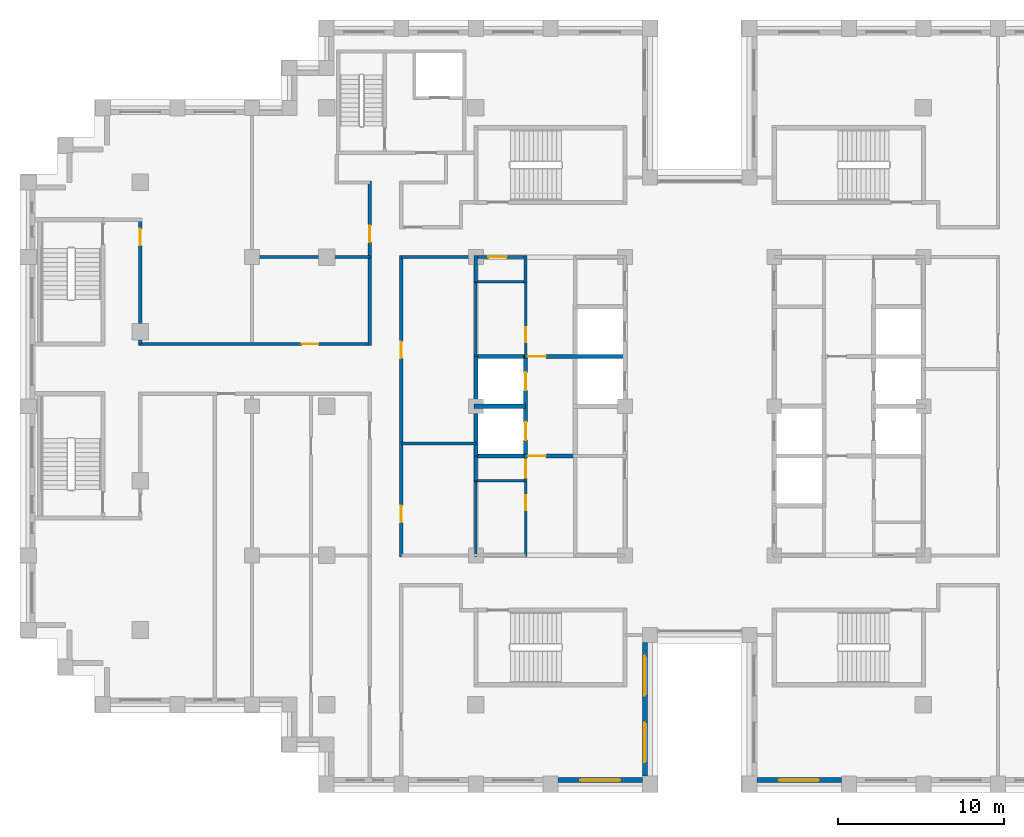
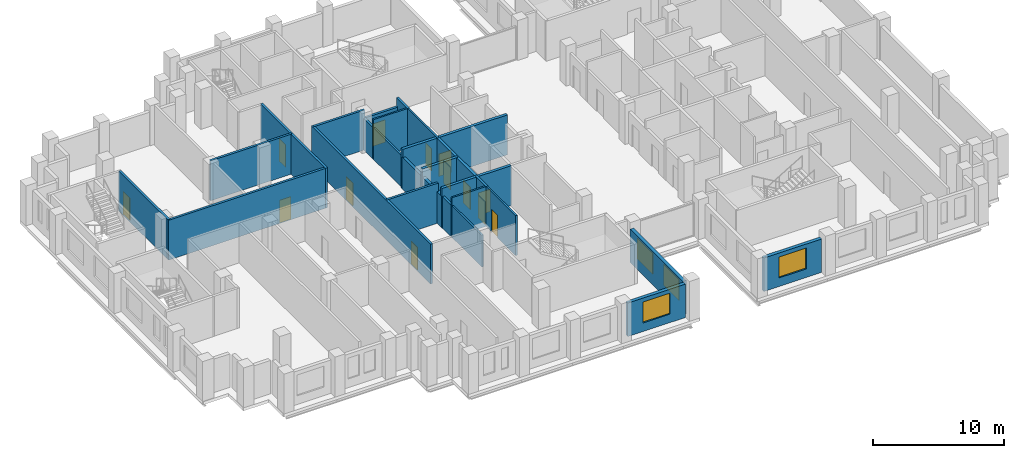
# One storey, part 7 of 15: 26 walls, 13 doors, 4 windows, 17 openings.
"""IFC4 building model written with IfcOpenShell, lengths in metres."""

from ifc_helpers import new_model, si_unit, direction, frame, frame_2d, origin, place, context, subcontext, project, spatial, rectangle, extrude, material, layer, layer_set, type_object, element, fill, save


model = new_model("IFC4")

# Units and contexts
model_context = context("Model", 3, precision=1e-05, world=origin(), true_north=direction((0.0, 1.0)))
body_context = subcontext(model_context, "Body", "Model", "MODEL_VIEW")
ifc_project = project(units=[si_unit("LENGTHUNIT", "METRE"), si_unit("AREAUNIT", "SQUARE_METRE"), si_unit("VOLUMEUNIT", "CUBIC_METRE"), si_unit("PLANEANGLEUNIT", "RADIAN"), si_unit("MASSUNIT", "GRAM", prefix="KILO")], contexts=[model_context])

# Site, building, storey
site_placement = place(None, origin())
site = spatial("IfcSite", under=ifc_project, at=site_placement, CompositionType="ELEMENT")
building_placement = place(site_placement, origin())
building = spatial("IfcBuilding", under=site, at=building_placement, Name="Corbelhall Arena Tower", CompositionType="ELEMENT")
storey_placement = place(building_placement, frame((0.0, 0.0, 220.0)))
storey = spatial("IfcBuildingStorey", under=building, at=storey_placement, Name="L46", CompositionType="ELEMENT", Elevation=220.0)

# Wall, opening, window
ifc_material_1 = material(Name="Precast concrete C40/50 with granite facing", Category="masonry")
ifc_layer_1 = layer(ifc_material_1, 0.300048828125)
ifc_layer_set_1 = layer_set([ifc_layer_1], Name="EV-IW1 Infill panel 300")
wall_type_1 = type_object("IfcWallType", Name="EV-IW1 Infill panel 300", PredefinedType="SOLIDWALL", material=ifc_layer_set_1)
wall_1_placement = place(storey_placement, frame((-8.550048828125, -22.550048828125, 0.0), z_axis=(0.0, 0.0, 1.0), x_axis=(1.0, 0.0, 0.0)))
wall_1 = element("IfcWall", 1, at=wall_1_placement, inside=storey, type_object=wall_type_1, Name="Infill panel IW1", PredefinedType="SOLIDWALL", context=body_context, shape_type="SweptSolid", body=[
    extrude(rectangle(XDim=5.10009765625, YDim=0.300048828125, at=frame_2d((2.550048828125, 0.0))), origin(), (0.0, 0.0, 1.0), 3.1201171875),
])
opening_1_placement = place(wall_1_placement, frame((1.35009765625, 0.0, 0.800048828125)))
opening_1 = element("IfcOpeningElement", 2, at=opening_1_placement, cuts=wall_1, Name="Opening WN1", PredefinedType="OPENING", context=body_context, shape_type="SweptSolid", body=[
    extrude(rectangle(XDim=2.39990234375, YDim=1.949951171875, at=frame_2d((1.199951171875, 0.97509765625))), frame((0.0, 0.14990234375, 0.0), z_axis=(0.0, -1.0, 0.0), x_axis=(1.0, 0.0, 0.0)), (0.0, 0.0, 1.0), 0.300048828125),
])
ifc_material_2 = material(Name="Aluminium black anodised", Category="aluminium")
window_type = type_object("IfcWindowType", Name="EV-WN1 Office window", PartitioningType="SINGLE_PANEL", PredefinedType="WINDOW", material=ifc_material_2)
window_1_placement = place(opening_1_placement, origin())
window_1 = element("IfcWindow", 3, at=window_1_placement, inside=storey, type_object=window_type, Name="Window WN1", OverallHeight=1.949951171875, OverallWidth=2.39990234375, PartitioningType="SINGLE_PANEL", PredefinedType="WINDOW", context=body_context, shape_type="SweptSolid", body=[
    extrude(rectangle(XDim=2.39990234375, YDim=1.949951171875, at=frame_2d((1.199951171875, 0.97509765625))), frame((0.0, 0.030029296875, 0.0), z_axis=(0.0, -1.0, 0.0), x_axis=(1.0, 0.0, 0.0)), (0.0, 0.0, 1.0), 0.06005859375),
])
fill(opening_1, window_1)

# Wall, openings, windows
wall_2_placement = place(storey_placement, frame((-3.300048828125, -22.300048828125, 0.0), z_axis=(0.0, 0.0, 1.0), x_axis=(0.0, 1.0, 0.0)))
wall_2 = element("IfcWall", 4, at=wall_2_placement, inside=storey, type_object=wall_type_1, Name="Infill panel IW1", PredefinedType="SOLIDWALL", context=body_context, shape_type="SweptSolid", body=[
    extrude(rectangle(XDim=8.050048828125, YDim=0.300048828125, at=frame_2d((4.02490234375, 0.0))), origin(), (0.0, 0.0, 1.0), 3.1201171875),
])
opening_2_placement = place(wall_2_placement, frame((0.8125, 0.0, 0.800048828125)))
opening_2 = element("IfcOpeningElement", 5, at=opening_2_placement, cuts=wall_2, Name="Opening WN1", PredefinedType="OPENING", context=body_context, shape_type="SweptSolid", body=[
    extrude(rectangle(XDim=2.39990234375, YDim=1.949951171875, at=frame_2d((1.199951171875, 0.97509765625))), frame((0.0, 0.14990234375, 0.0), z_axis=(0.0, -1.0, 0.0), x_axis=(1.0, 0.0, 0.0)), (0.0, 0.0, 1.0), 0.300048828125),
])
opening_3_placement = place(wall_2_placement, frame((4.83740234375, 0.0, 0.800048828125)))
opening_3 = element("IfcOpeningElement", 6, at=opening_3_placement, cuts=wall_2, Name="Opening WN1", PredefinedType="OPENING", context=body_context, shape_type="SweptSolid", body=[
    extrude(rectangle(XDim=2.39990234375, YDim=1.949951171875, at=frame_2d((1.199951171875, 0.97509765625))), frame((0.0, 0.14990234375, 0.0), z_axis=(0.0, -1.0, 0.0), x_axis=(1.0, 0.0, 0.0)), (0.0, 0.0, 1.0), 0.300048828125),
])
window_2_placement = place(opening_2_placement, origin())
window_2 = element("IfcWindow", 7, at=window_2_placement, inside=storey, type_object=window_type, Name="Window WN1", OverallHeight=1.949951171875, OverallWidth=2.39990234375, PartitioningType="SINGLE_PANEL", PredefinedType="WINDOW", context=body_context, shape_type="SweptSolid", body=[
    extrude(rectangle(XDim=2.39990234375, YDim=1.949951171875, at=frame_2d((1.199951171875, 0.97509765625))), frame((0.0, 0.030029296875, 0.0), z_axis=(0.0, -1.0, 0.0), x_axis=(1.0, 0.0, 0.0)), (0.0, 0.0, 1.0), 0.06005859375),
])
fill(opening_2, window_2)
window_3_placement = place(opening_3_placement, origin())
window_3 = element("IfcWindow", 8, at=window_3_placement, inside=storey, type_object=window_type, Name="Window WN1", OverallHeight=1.949951171875, OverallWidth=2.39990234375, PartitioningType="SINGLE_PANEL", PredefinedType="WINDOW", context=body_context, shape_type="SweptSolid", body=[
    extrude(rectangle(XDim=2.39990234375, YDim=1.949951171875, at=frame_2d((1.199951171875, 0.97509765625))), frame((0.0, 0.030029296875, 0.0), z_axis=(0.0, -1.0, 0.0), x_axis=(1.0, 0.0, 0.0)), (0.0, 0.0, 1.0), 0.06005859375),
])
fill(opening_3, window_3)

# Wall, opening, window
wall_3_placement = place(storey_placement, frame((3.449951171875, -22.550048828125, 0.0), z_axis=(0.0, 0.0, 1.0), x_axis=(1.0, 0.0, 0.0)))
wall_3 = element("IfcWall", 9, at=wall_3_placement, inside=storey, type_object=wall_type_1, Name="Infill panel IW1", PredefinedType="SOLIDWALL", context=body_context, shape_type="SweptSolid", body=[
    extrude(rectangle(XDim=5.10009765625, YDim=0.300048828125, at=frame_2d((2.550048828125, 0.0))), origin(), (0.0, 0.0, 1.0), 3.1201171875),
])
opening_4_placement = place(wall_3_placement, frame((1.35009765625, 0.0, 0.800048828125)))
opening_4 = element("IfcOpeningElement", 10, at=opening_4_placement, cuts=wall_3, Name="Opening WN1", PredefinedType="OPENING", context=body_context, shape_type="SweptSolid", body=[
    extrude(rectangle(XDim=2.39990234375, YDim=1.949951171875, at=frame_2d((1.199951171875, 0.97509765625))), frame((0.0, 0.14990234375, 0.0), z_axis=(0.0, -1.0, 0.0), x_axis=(1.0, 0.0, 0.0)), (0.0, 0.0, 1.0), 0.300048828125),
])
window_4_placement = place(opening_4_placement, origin())
window_4 = element("IfcWindow", 11, at=window_4_placement, inside=storey, type_object=window_type, Name="Window WN1", OverallHeight=1.949951171875, OverallWidth=2.39990234375, PartitioningType="SINGLE_PANEL", PredefinedType="WINDOW", context=body_context, shape_type="SweptSolid", body=[
    extrude(rectangle(XDim=2.39990234375, YDim=1.949951171875, at=frame_2d((1.199951171875, 0.97509765625))), frame((0.0, 0.030029296875, 0.0), z_axis=(0.0, -1.0, 0.0), x_axis=(1.0, 0.0, 0.0)), (0.0, 0.0, 1.0), 0.06005859375),
])
fill(opening_4, window_4)

# Wall, opening, door
ifc_material_3 = material(Name="Gypsum board on steel stud, acoustic", Category="steel")
ifc_layer_2 = layer(ifc_material_3, 0.199951171875)
ifc_layer_set_2 = layer_set([ifc_layer_2], Name="IN-W-DM200")
wall_type_2 = type_object("IfcWallType", Name="IN-W-DM200", PredefinedType="PARTITIONING", material=ifc_layer_set_2)
wall_4_placement = place(storey_placement, frame((-33.85009765625, 3.75, 0.0), z_axis=(0.0, 0.0, 1.0), x_axis=(1.0, 0.0, 0.0)))
wall_4 = element("IfcWall", 12, at=wall_4_placement, inside=storey, type_object=wall_type_2, Name="Partition 002", PredefinedType="PARTITIONING", context=body_context, shape_type="SweptSolid", body=[
    extrude(rectangle(XDim=13.9501953125, YDim=0.199951171875, at=frame_2d((6.97509765625, 0.0))), origin(), (0.0, 0.0, 1.0), 3.719970703125),
])
opening_5_placement = place(wall_4_placement, frame((9.85009765625, 0.0, 0.0)))
opening_5 = element("IfcOpeningElement", 13, at=opening_5_placement, cuts=wall_4, Name="Opening 14032", PredefinedType="OPENING", context=body_context, shape_type="SweptSolid", body=[
    extrude(rectangle(XDim=1.0, YDim=2.10009765625, at=frame_2d((0.5, 1.050048828125))), frame((0.0, 0.10009765625, 0.0), z_axis=(0.0, -1.0, 0.0), x_axis=(1.0, 0.0, 0.0)), (0.0, 0.0, 1.0), 0.199951171875),
])
ifc_material_4 = material(Name="Steel door set", Category="steel")
door_type_1 = type_object("IfcDoorType", Name="IN-D-SW100", OperationType="NOTDEFINED", PredefinedType="DOOR", material=ifc_material_4)
door_1_placement = place(opening_5_placement, origin())
door_1 = element("IfcDoor", 14, at=door_1_placement, inside=storey, type_object=door_type_1, Name="Door 032", OperationType="SINGLE_SWING_LEFT", OverallHeight=2.10009765625, OverallWidth=1.0, PredefinedType="DOOR", context=body_context, shape_type="SweptSolid", body=[
    extrude(rectangle(XDim=1.0, YDim=2.10009765625, at=frame_2d((0.5, 1.050048828125))), frame((0.0, 0.02490234375, 0.0), z_axis=(0.0, -1.0, 0.0), x_axis=(1.0, 0.0, 0.0)), (0.0, 0.0, 1.0), 0.050048828125),
])
fill(opening_5, door_1)

wall_5_placement = place(storey_placement, frame((-33.75, 11.25, 0.0), z_axis=(0.0, 0.0, 1.0), x_axis=(0.0, -1.0, 0.0)))
wall_5 = element("IfcWall", 15, at=wall_5_placement, inside=storey, type_object=wall_type_2, Name="Partition 005", PredefinedType="PARTITIONING", context=body_context, shape_type="SweptSolid", body=[
    extrude(rectangle(XDim=7.5, YDim=0.199951171875, at=frame_2d((3.75, 0.0))), origin(), (0.0, 0.0, 1.0), 3.719970703125),
])
opening_6_placement = place(wall_5_placement, frame((0.550048828125, 0.0, 0.0)))
opening_6 = element("IfcOpeningElement", 16, at=opening_6_placement, cuts=wall_5, Name="Opening 14042", PredefinedType="OPENING", context=body_context, shape_type="SweptSolid", body=[
    extrude(rectangle(XDim=1.0, YDim=2.10009765625, at=frame_2d((0.5, 1.050048828125))), frame((0.0, 0.10009765625, 0.0), z_axis=(0.0, -1.0, 0.0), x_axis=(1.0, 0.0, 0.0)), (0.0, 0.0, 1.0), 0.199951171875),
])
door_2_placement = place(opening_6_placement, origin())
door_2 = element("IfcDoor", 17, at=door_2_placement, inside=storey, type_object=door_type_1, Name="Door 042", OperationType="SINGLE_SWING_LEFT", OverallHeight=2.10009765625, OverallWidth=1.0, PredefinedType="DOOR", context=body_context, shape_type="SweptSolid", body=[
    extrude(rectangle(XDim=1.0, YDim=2.10009765625, at=frame_2d((0.5, 1.050048828125))), frame((0.0, 0.02490234375, 0.0), z_axis=(0.0, -1.0, 0.0), x_axis=(1.0, 0.0, 0.0)), (0.0, 0.0, 1.0), 0.050048828125),
])
fill(opening_6, door_2)

# Wall
wall_6_placement = place(storey_placement, frame((-27.10009765625, 9.0, 0.0), z_axis=(0.0, 0.0, 1.0), x_axis=(1.0, 0.0, 0.0)))
element("IfcWall", 18, at=wall_6_placement, inside=storey, type_object=wall_type_2, Name="Partition 009", PredefinedType="PARTITIONING", context=body_context, shape_type="SweptSolid", body=[
    extrude(rectangle(XDim=7.2001953125, YDim=0.199951171875, at=frame_2d((3.60009765625, 0.0))), origin(), (0.0, 0.0, 1.0), 3.719970703125),
])

# Wall, opening, door
wall_7_placement = place(storey_placement, frame((-19.89990234375, 3.64990234375, 0.0), z_axis=(0.0, 0.0, 1.0), x_axis=(0.0, 1.0, 0.0)))
wall_7 = element("IfcWall", 19, at=wall_7_placement, inside=storey, type_object=wall_type_2, Name="Partition 015", PredefinedType="PARTITIONING", context=body_context, shape_type="SweptSolid", body=[
    extrude(rectangle(XDim=9.9501953125, YDim=0.199951171875, at=frame_2d((4.97509765625, 0.0))), origin(), (0.0, 0.0, 1.0), 3.719970703125),
])
opening_7_placement = place(wall_7_placement, frame((6.25, 0.0, 0.0)))
opening_7 = element("IfcOpeningElement", 20, at=opening_7_placement, cuts=wall_7, Name="Opening 14033", PredefinedType="OPENING", context=body_context, shape_type="SweptSolid", body=[
    extrude(rectangle(XDim=1.0, YDim=2.10009765625, at=frame_2d((0.5, 1.050048828125))), frame((0.0, 0.10009765625, 0.0), z_axis=(0.0, -1.0, 0.0), x_axis=(1.0, 0.0, 0.0)), (0.0, 0.0, 1.0), 0.199951171875),
])
door_3_placement = place(opening_7_placement, origin())
door_3 = element("IfcDoor", 21, at=door_3_placement, inside=storey, type_object=door_type_1, Name="Door 033", OperationType="SINGLE_SWING_RIGHT", OverallHeight=2.10009765625, OverallWidth=1.0, PredefinedType="DOOR", context=body_context, shape_type="SweptSolid", body=[
    extrude(rectangle(XDim=1.0, YDim=2.10009765625, at=frame_2d((0.5, 1.050048828125))), frame((0.0, 0.02490234375, 0.0), z_axis=(0.0, -1.0, 0.0), x_axis=(1.0, 0.0, 0.0)), (0.0, 0.0, 1.0), 0.050048828125),
])
fill(opening_7, door_3)

# Wall
wall_8_placement = place(storey_placement, frame((-18.0, -2.25, 0.0), z_axis=(0.0, 0.0, 1.0), x_axis=(1.0, 0.0, 0.0)))
element("IfcWall", 22, at=wall_8_placement, inside=storey, type_object=wall_type_2, Name="Partition 019", PredefinedType="PARTITIONING", context=body_context, shape_type="SweptSolid", body=[
    extrude(rectangle(XDim=4.5, YDim=0.199951171875, at=frame_2d((2.25, 0.0))), origin(), (0.0, 0.0, 1.0), 3.719970703125),
])

# Wall, openings, doors
wall_9_placement = place(storey_placement, frame((-18.0, 9.10009765625, 0.0), z_axis=(0.0, 0.0, 1.0), x_axis=(0.0, -1.0, 0.0)))
wall_9 = element("IfcWall", 23, at=wall_9_placement, inside=storey, type_object=wall_type_2, Name="Partition 020", PredefinedType="PARTITIONING", context=body_context, shape_type="SweptSolid", body=[
    extrude(rectangle(XDim=18.2001953125, YDim=0.199951171875, at=frame_2d((9.10009765625, 0.0))), origin(), (0.0, 0.0, 1.0), 3.719970703125),
])
opening_8_placement = place(wall_9_placement, frame((15.10009765625, 0.0, 0.0)))
opening_8 = element("IfcOpeningElement", 24, at=opening_8_placement, cuts=wall_9, Name="Opening 14024", PredefinedType="OPENING", context=body_context, shape_type="SweptSolid", body=[
    extrude(rectangle(XDim=1.0, YDim=2.10009765625, at=frame_2d((0.5, 1.050048828125))), frame((0.0, 0.10009765625, 0.0), z_axis=(0.0, -1.0, 0.0), x_axis=(1.0, 0.0, 0.0)), (0.0, 0.0, 1.0), 0.199951171875),
])
opening_9_placement = place(wall_9_placement, frame((5.199951171875, 0.0, 0.0)))
opening_9 = element("IfcOpeningElement", 25, at=opening_9_placement, cuts=wall_9, Name="Opening 14025", PredefinedType="OPENING", context=body_context, shape_type="SweptSolid", body=[
    extrude(rectangle(XDim=1.0, YDim=2.10009765625, at=frame_2d((0.5, 1.050048828125))), frame((0.0, 0.10009765625, 0.0), z_axis=(0.0, -1.0, 0.0), x_axis=(1.0, 0.0, 0.0)), (0.0, 0.0, 1.0), 0.199951171875),
])
door_4_placement = place(opening_8_placement, origin())
door_4 = element("IfcDoor", 26, at=door_4_placement, inside=storey, type_object=door_type_1, Name="Door 024", OperationType="SINGLE_SWING_LEFT", OverallHeight=2.10009765625, OverallWidth=1.0, PredefinedType="DOOR", context=body_context, shape_type="SweptSolid", body=[
    extrude(rectangle(XDim=1.0, YDim=2.10009765625, at=frame_2d((0.5, 1.050048828125))), frame((0.0, 0.02490234375, 0.0), z_axis=(0.0, -1.0, 0.0), x_axis=(1.0, 0.0, 0.0)), (0.0, 0.0, 1.0), 0.050048828125),
])
fill(opening_8, door_4)
door_5_placement = place(opening_9_placement, origin())
door_5 = element("IfcDoor", 27, at=door_5_placement, inside=storey, type_object=door_type_1, Name="Door 025", OperationType="SINGLE_SWING_RIGHT", OverallHeight=2.10009765625, OverallWidth=1.0, PredefinedType="DOOR", context=body_context, shape_type="SweptSolid", body=[
    extrude(rectangle(XDim=1.0, YDim=2.10009765625, at=frame_2d((0.5, 1.050048828125))), frame((0.0, 0.02490234375, 0.0), z_axis=(0.0, -1.0, 0.0), x_axis=(1.0, 0.0, 0.0)), (0.0, 0.0, 1.0), 0.050048828125),
])
fill(opening_9, door_5)

# Wall
wall_10_placement = place(storey_placement, frame((-13.5, 9.0, 0.0), z_axis=(0.0, 0.0, 1.0), x_axis=(-1.0, 0.0, 0.0)))
element("IfcWall", 28, at=wall_10_placement, inside=storey, type_object=wall_type_2, Name="Partition 028", PredefinedType="PARTITIONING", context=body_context, shape_type="SweptSolid", body=[
    extrude(rectangle(XDim=4.5, YDim=0.199951171875, at=frame_2d((2.25, 0.0))), origin(), (0.0, 0.0, 1.0), 3.719970703125),
])

# Wall, opening, door
ifc_material_5 = material(Name="Concrete block wall", Category="concrete")
ifc_layer_3 = layer(ifc_material_5, 0.199951171875)
ifc_layer_set_3 = layer_set([ifc_layer_3], Name="IN-W-RS200")
wall_type_3 = type_object("IfcWallType", Name="IN-W-RS200", PredefinedType="SOLIDWALL", material=ifc_layer_set_3)
wall_11_placement = place(storey_placement, frame((-10.5, -4.574951171875, 0.0), z_axis=(0.0, 0.0, 1.0), x_axis=(0.0, 1.0, 0.0)))
wall_11 = element("IfcWall", 29, at=wall_11_placement, inside=storey, type_object=wall_type_3, Name="Partition 055", PredefinedType="SOLIDWALL", context=body_context, shape_type="SweptSolid", body=[
    extrude(rectangle(XDim=1.699951171875, YDim=0.199951171875, at=frame_2d((0.85009765625, 0.0))), origin(), (0.0, 0.0, 1.0), 3.719970703125),
])
opening_10_placement = place(wall_11_placement, frame((0.25, 0.0, 0.0)))
opening_10 = element("IfcOpeningElement", 30, at=opening_10_placement, cuts=wall_11, Name="Opening 14007", PredefinedType="OPENING", context=body_context, shape_type="SweptSolid", body=[
    extrude(rectangle(XDim=1.10009765625, YDim=2.10009765625, at=frame_2d((0.550048828125, 1.050048828125))), frame((0.0, 0.10009765625, 0.0), z_axis=(0.0, -1.0, 0.0), x_axis=(1.0, 0.0, 0.0)), (0.0, 0.0, 1.0), 0.199951171875),
])
door_type_2 = type_object("IfcDoorType", Name="IN-D-FD110", OperationType="NOTDEFINED", PredefinedType="DOOR", material=ifc_material_4)
door_6_placement = place(opening_10_placement, origin())
door_6 = element("IfcDoor", 31, at=door_6_placement, inside=storey, type_object=door_type_2, Name="Door 007", OperationType="SINGLE_SWING_RIGHT", OverallHeight=2.10009765625, OverallWidth=1.10009765625, PredefinedType="DOOR", context=body_context, shape_type="SweptSolid", body=[
    extrude(rectangle(XDim=1.10009765625, YDim=2.10009765625, at=frame_2d((0.550048828125, 1.050048828125))), frame((0.0, 0.02490234375, 0.0), z_axis=(0.0, -1.0, 0.0), x_axis=(1.0, 0.0, 0.0)), (0.0, 0.0, 1.0), 0.050048828125),
])
fill(opening_10, door_6)

# Wall
wall_12_placement = place(storey_placement, frame((-10.5, 7.425048828125, 0.0), z_axis=(0.0, 0.0, 1.0), x_axis=(0.0, 1.0, 0.0)))
element("IfcWall", 32, at=wall_12_placement, inside=storey, type_object=wall_type_3, Name="Partition 056", PredefinedType="SOLIDWALL", context=body_context, shape_type="SweptSolid", body=[
    extrude(rectangle(XDim=1.675048828125, YDim=0.199951171875, at=frame_2d((0.83740234375, 0.0))), origin(), (0.0, 0.0, 1.0), 3.719970703125),
])

# Wall, opening, door
ifc_layer_4 = layer(ifc_material_5, 0.199951171875)
ifc_layer_set_4 = layer_set([ifc_layer_4], Name="IN-W-RS200 under beam 762 mm")
wall_type_4 = type_object("IfcWallType", Name="IN-W-RS200 under beam 762 mm", PredefinedType="SOLIDWALL", material=ifc_layer_set_4)
wall_13_placement = place(storey_placement, frame((-13.60009765625, 9.0, 0.0), z_axis=(0.0, 0.0, 1.0), x_axis=(1.0, 0.0, 0.0)))
wall_13 = element("IfcWall", 33, at=wall_13_placement, inside=storey, type_object=wall_type_4, Name="Partition 052", PredefinedType="SOLIDWALL", context=body_context, shape_type="SweptSolid", body=[
    extrude(rectangle(XDim=3.10009765625, YDim=0.199951171875, at=frame_2d((1.550048828125, 0.0))), origin(), (0.0, 0.0, 1.0), 2.9580078125),
])
opening_11_placement = place(wall_13_placement, frame((0.85009765625, 0.0, 0.0)))
opening_11 = element("IfcOpeningElement", 34, at=opening_11_placement, cuts=wall_13, Name="Opening 14009", PredefinedType="OPENING", context=body_context, shape_type="SweptSolid", body=[
    extrude(rectangle(XDim=1.10009765625, YDim=2.10009765625, at=frame_2d((0.550048828125, 1.050048828125))), frame((0.0, 0.10009765625, 0.0), z_axis=(0.0, -1.0, 0.0), x_axis=(1.0, 0.0, 0.0)), (0.0, 0.0, 1.0), 0.199951171875),
])
door_7_placement = place(opening_11_placement, origin())
door_7 = element("IfcDoor", 35, at=door_7_placement, inside=storey, type_object=door_type_2, Name="Door 009", OperationType="SINGLE_SWING_RIGHT", OverallHeight=2.10009765625, OverallWidth=1.10009765625, PredefinedType="DOOR", context=body_context, shape_type="SweptSolid", body=[
    extrude(rectangle(XDim=1.10009765625, YDim=2.10009765625, at=frame_2d((0.550048828125, 1.050048828125))), frame((0.0, 0.02490234375, 0.0), z_axis=(0.0, -1.0, 0.0), x_axis=(1.0, 0.0, 0.0)), (0.0, 0.0, 1.0), 0.050048828125),
])
fill(opening_11, door_7)

# Walls
wall_14_placement = place(storey_placement, frame((-13.5, -4.5, 0.0), z_axis=(0.0, 0.0, 1.0), x_axis=(0.0, 1.0, 0.0)))
element("IfcWall", 36, at=wall_14_placement, inside=storey, type_object=wall_type_4, Name="Partition 053", PredefinedType="SOLIDWALL", context=body_context, shape_type="SweptSolid", body=[
    extrude(rectangle(XDim=1.5, YDim=0.199951171875, at=frame_2d((0.75, 0.0))), origin(), (0.0, 0.0, 1.0), 2.9580078125),
])
wall_15_placement = place(storey_placement, frame((-13.5, 7.5, 0.0), z_axis=(0.0, 0.0, 1.0), x_axis=(0.0, 1.0, 0.0)))
element("IfcWall", 37, at=wall_15_placement, inside=storey, type_object=wall_type_4, Name="Partition 054", PredefinedType="SOLIDWALL", context=body_context, shape_type="SweptSolid", body=[
    extrude(rectangle(XDim=1.60009765625, YDim=0.199951171875, at=frame_2d((0.800048828125, 0.0))), origin(), (0.0, 0.0, 1.0), 2.9580078125),
])
ifc_material_6 = material(Name="Concrete C40/50", Category="concrete")
ifc_layer_5 = layer(ifc_material_6, 0.25)
ifc_layer_set_5 = layer_set([ifc_layer_5], Name="IN-W-SH250")
wall_type_5 = type_object("IfcWallType", Name="IN-W-SH250", PredefinedType="SOLIDWALL", material=ifc_layer_set_5)
wall_16_placement = place(storey_placement, frame((-13.625, 0.0, 0.0), z_axis=(0.0, 0.0, 1.0), x_axis=(1.0, 0.0, 0.0)))
element("IfcWall", 38, at=wall_16_placement, inside=storey, type_object=wall_type_5, Name="Shaft wall 076", PredefinedType="SOLIDWALL", context=body_context, shape_type="SweptSolid", body=[
    extrude(rectangle(XDim=3.125, YDim=0.25, at=frame_2d((1.5625, 0.0))), origin(), (0.0, 0.0, 1.0), 3.719970703125),
])

# Wall, opening, door
wall_17_placement = place(storey_placement, frame((-13.625, 3.0, 0.0), z_axis=(0.0, 0.0, 1.0), x_axis=(1.0, 0.0, 0.0)))
wall_17 = element("IfcWall", 39, at=wall_17_placement, inside=storey, type_object=wall_type_5, Name="Shaft wall 077", PredefinedType="SOLIDWALL", context=body_context, shape_type="SweptSolid", body=[
    extrude(rectangle(XDim=9.25, YDim=0.25, at=frame_2d((4.625, 0.0))), origin(), (0.0, 0.0, 1.0), 3.719970703125),
])
opening_12_placement = place(wall_17_placement, frame((3.25, 0.0, 0.0)))
opening_12 = element("IfcOpeningElement", 40, at=opening_12_placement, cuts=wall_17, Name="Opening 14005", PredefinedType="OPENING", context=body_context, shape_type="SweptSolid", body=[
    extrude(rectangle(XDim=1.10009765625, YDim=2.10009765625, at=frame_2d((0.550048828125, 1.050048828125))), frame((0.0, 0.125, 0.0), z_axis=(0.0, -1.0, 0.0), x_axis=(1.0, 0.0, 0.0)), (0.0, 0.0, 1.0), 0.25),
])
door_8_placement = place(opening_12_placement, origin())
door_8 = element("IfcDoor", 41, at=door_8_placement, inside=storey, type_object=door_type_2, Name="Door 005", OperationType="SINGLE_SWING_RIGHT", OverallHeight=2.10009765625, OverallWidth=1.10009765625, PredefinedType="DOOR", context=body_context, shape_type="SweptSolid", body=[
    extrude(rectangle(XDim=1.10009765625, YDim=2.10009765625, at=frame_2d((0.550048828125, 1.050048828125))), frame((0.0, 0.02490234375, 0.0), z_axis=(0.0, -1.0, 0.0), x_axis=(1.0, 0.0, 0.0)), (0.0, 0.0, 1.0), 0.050048828125),
])
fill(opening_12, door_8)

wall_18_placement = place(storey_placement, frame((-13.625, -3.0, 0.0), z_axis=(0.0, 0.0, 1.0), x_axis=(1.0, 0.0, 0.0)))
wall_18 = element("IfcWall", 42, at=wall_18_placement, inside=storey, type_object=wall_type_5, Name="Shaft wall 079", PredefinedType="SOLIDWALL", context=body_context, shape_type="SweptSolid", body=[
    extrude(rectangle(XDim=6.125, YDim=0.25, at=frame_2d((3.0625, 0.0))), origin(), (0.0, 0.0, 1.0), 3.719970703125),
])
opening_13_placement = place(wall_18_placement, frame((3.25, 0.0, 0.0)))
opening_13 = element("IfcOpeningElement", 43, at=opening_13_placement, cuts=wall_18, Name="Opening 14004", PredefinedType="OPENING", context=body_context, shape_type="SweptSolid", body=[
    extrude(rectangle(XDim=1.10009765625, YDim=2.10009765625, at=frame_2d((0.550048828125, 1.050048828125))), frame((0.0, 0.125, 0.0), z_axis=(0.0, -1.0, 0.0), x_axis=(1.0, 0.0, 0.0)), (0.0, 0.0, 1.0), 0.25),
])
door_9_placement = place(opening_13_placement, origin())
door_9 = element("IfcDoor", 44, at=door_9_placement, inside=storey, type_object=door_type_2, Name="Door 004", OperationType="SINGLE_SWING_LEFT", OverallHeight=2.10009765625, OverallWidth=1.10009765625, PredefinedType="DOOR", context=body_context, shape_type="SweptSolid", body=[
    extrude(rectangle(XDim=1.10009765625, YDim=2.10009765625, at=frame_2d((0.550048828125, 1.050048828125))), frame((0.0, 0.02490234375, 0.0), z_axis=(0.0, -1.0, 0.0), x_axis=(1.0, 0.0, 0.0)), (0.0, 0.0, 1.0), 0.050048828125),
])
fill(opening_13, door_9)

# Wall, openings, doors
wall_19_placement = place(storey_placement, frame((-10.5, -3.125, 0.0), z_axis=(0.0, 0.0, 1.0), x_axis=(0.0, 1.0, 0.0)))
wall_19 = element("IfcWall", 45, at=wall_19_placement, inside=storey, type_object=wall_type_5, Name="Shaft wall 080", PredefinedType="SOLIDWALL", context=body_context, shape_type="SweptSolid", body=[
    extrude(rectangle(XDim=6.25, YDim=0.25, at=frame_2d((3.125, 0.0))), origin(), (0.0, 0.0, 1.0), 3.719970703125),
])
opening_14_placement = place(wall_19_placement, frame((1.074951171875, 0.0, 0.0)))
opening_14 = element("IfcOpeningElement", 46, at=opening_14_placement, cuts=wall_19, Name="Opening LD", PredefinedType="OPENING", context=body_context, shape_type="SweptSolid", body=[
    extrude(rectangle(XDim=1.10009765625, YDim=2.10009765625, at=frame_2d((0.550048828125, 1.050048828125))), frame((0.0, 0.125, 0.0), z_axis=(0.0, -1.0, 0.0), x_axis=(1.0, 0.0, 0.0)), (0.0, 0.0, 1.0), 0.25),
])
opening_15_placement = place(wall_19_placement, frame((4.074951171875, 0.0, 0.0)))
opening_15 = element("IfcOpeningElement", 47, at=opening_15_placement, cuts=wall_19, Name="Opening LD", PredefinedType="OPENING", context=body_context, shape_type="SweptSolid", body=[
    extrude(rectangle(XDim=1.10009765625, YDim=2.10009765625, at=frame_2d((0.550048828125, 1.050048828125))), frame((0.0, 0.125, 0.0), z_axis=(0.0, -1.0, 0.0), x_axis=(1.0, 0.0, 0.0)), (0.0, 0.0, 1.0), 0.25),
])
door_type_3 = type_object("IfcDoorType", Name="IN-D-LD110", OperationType="NOTDEFINED", PredefinedType="DOOR", material=ifc_material_4)
door_10_placement = place(opening_14_placement, origin())
door_10 = element("IfcDoor", 48, at=door_10_placement, inside=storey, type_object=door_type_3, Name="Landing door W3", OperationType="SLIDING_TO_LEFT", OverallHeight=2.10009765625, OverallWidth=1.10009765625, PredefinedType="DOOR", context=body_context, shape_type="SweptSolid", body=[
    extrude(rectangle(XDim=1.10009765625, YDim=2.10009765625, at=frame_2d((0.550048828125, 1.050048828125))), frame((0.0, 0.02490234375, 0.0), z_axis=(0.0, -1.0, 0.0), x_axis=(1.0, 0.0, 0.0)), (0.0, 0.0, 1.0), 0.050048828125),
])
fill(opening_14, door_10)
door_11_placement = place(opening_15_placement, origin())
door_11 = element("IfcDoor", 49, at=door_11_placement, inside=storey, type_object=door_type_3, Name="Landing door W4", OperationType="SLIDING_TO_LEFT", OverallHeight=2.10009765625, OverallWidth=1.10009765625, PredefinedType="DOOR", context=body_context, shape_type="SweptSolid", body=[
    extrude(rectangle(XDim=1.10009765625, YDim=2.10009765625, at=frame_2d((0.550048828125, 1.050048828125))), frame((0.0, 0.02490234375, 0.0), z_axis=(0.0, -1.0, 0.0), x_axis=(1.0, 0.0, 0.0)), (0.0, 0.0, 1.0), 0.050048828125),
])
fill(opening_15, door_11)

# Walls
ifc_layer_6 = layer(ifc_material_6, 0.25)
ifc_layer_set_6 = layer_set([ifc_layer_6], Name="IN-W-SH250 under beam 762 mm")
wall_type_6 = type_object("IfcWallType", Name="IN-W-SH250 under beam 762 mm", PredefinedType="SOLIDWALL", material=ifc_layer_set_6)
wall_20_placement = place(storey_placement, frame((-13.5, -3.0, 0.0), z_axis=(0.0, 0.0, 1.0), x_axis=(0.0, 1.0, 0.0)))
element("IfcWall", 50, at=wall_20_placement, inside=storey, type_object=wall_type_6, Name="Shaft wall 078", PredefinedType="SOLIDWALL", context=body_context, shape_type="SweptSolid", body=[
    extrude(rectangle(XDim=6.0, YDim=0.25, at=frame_2d((3.0, 0.0))), origin(), (0.0, 0.0, 1.0), 2.9580078125),
])
ifc_material_7 = material(Name="Gypsum board on steel stud, moisture resistant", Category="steel")
ifc_layer_7 = layer(ifc_material_7, 0.14990234375)
ifc_layer_set_7 = layer_set([ifc_layer_7], Name="IN-W-WC150")
wall_type_7 = type_object("IfcWallType", Name="IN-W-WC150", PredefinedType="PARTITIONING", material=ifc_layer_set_7)
for number, where, z_axis, x_axis, name in (
    (51, (-13.60009765625, -4.5, 0.0), (0.0, 0.0, 1.0), (1.0, 0.0, 0.0), "Partition 117"),
    (52, (-13.60009765625, 7.5, 0.0), (0.0, 0.0, 1.0), (1.0, 0.0, 0.0), "Partition 118"),
):
    element("IfcWall", number, at=place(storey_placement, frame(where, z_axis=z_axis, x_axis=x_axis)), inside=storey, type_object=wall_type_7, Name=name, PredefinedType="PARTITIONING", context=body_context, shape_type="SweptSolid", body=[
        extrude(rectangle(XDim=3.10009765625, YDim=0.14990234375, at=frame_2d((1.550048828125, 0.0))), origin(), (0.0, 0.0, 1.0), 3.719970703125),
    ])

# Wall, opening, door
wall_21_placement = place(storey_placement, frame((-10.5, -9.074951171875, 0.0), z_axis=(0.0, 0.0, 1.0), x_axis=(0.0, 1.0, 0.0)))
wall_21 = element("IfcWall", 53, at=wall_21_placement, inside=storey, type_object=wall_type_7, Name="Partition 121", PredefinedType="PARTITIONING", context=body_context, shape_type="SweptSolid", body=[
    extrude(rectangle(XDim=4.64990234375, YDim=0.14990234375, at=frame_2d((2.324951171875, 0.0))), origin(), (0.0, 0.0, 1.0), 3.719970703125),
])
opening_16_placement = place(wall_21_placement, frame((2.800048828125, 0.0, 0.0)))
opening_16 = element("IfcOpeningElement", 54, at=opening_16_placement, cuts=wall_21, Name="Opening 14006", PredefinedType="OPENING", context=body_context, shape_type="SweptSolid", body=[
    extrude(rectangle(XDim=0.89990234375, YDim=2.10009765625, at=frame_2d((0.449951171875, 1.050048828125))), frame((0.0, 0.074951171875, 0.0), z_axis=(0.0, -1.0, 0.0), x_axis=(1.0, 0.0, 0.0)), (0.0, 0.0, 1.0), 0.14990234375),
])
ifc_material_8 = material(Name="Timber door set", Category="wood")
door_type_4 = type_object("IfcDoorType", Name="IN-D-SW90", OperationType="NOTDEFINED", PredefinedType="DOOR", material=ifc_material_8)
door_12_placement = place(opening_16_placement, origin())
door_12 = element("IfcDoor", 55, at=door_12_placement, inside=storey, type_object=door_type_4, Name="Door 006", OperationType="SINGLE_SWING_LEFT", OverallHeight=2.10009765625, OverallWidth=0.89990234375, PredefinedType="DOOR", context=body_context, shape_type="SweptSolid", body=[
    extrude(rectangle(XDim=0.89990234375, YDim=2.10009765625, at=frame_2d((0.449951171875, 1.050048828125))), frame((0.0, 0.02490234375, 0.0), z_axis=(0.0, -1.0, 0.0), x_axis=(1.0, 0.0, 0.0)), (0.0, 0.0, 1.0), 0.050048828125),
])
fill(opening_16, door_12)

wall_22_placement = place(storey_placement, frame((-10.5, 2.875, 0.0), z_axis=(0.0, 0.0, 1.0), x_axis=(0.0, 1.0, 0.0)))
wall_22 = element("IfcWall", 56, at=wall_22_placement, inside=storey, type_object=wall_type_7, Name="Partition 123", PredefinedType="PARTITIONING", context=body_context, shape_type="SweptSolid", body=[
    extrude(rectangle(XDim=4.699951171875, YDim=0.14990234375, at=frame_2d((2.35009765625, 0.0))), origin(), (0.0, 0.0, 1.0), 3.719970703125),
])
opening_17_placement = place(wall_22_placement, frame((1.0, 0.0, 0.0)))
opening_17 = element("IfcOpeningElement", 57, at=opening_17_placement, cuts=wall_22, Name="Opening 14008", PredefinedType="OPENING", context=body_context, shape_type="SweptSolid", body=[
    extrude(rectangle(XDim=0.89990234375, YDim=2.10009765625, at=frame_2d((0.449951171875, 1.050048828125))), frame((0.0, 0.074951171875, 0.0), z_axis=(0.0, -1.0, 0.0), x_axis=(1.0, 0.0, 0.0)), (0.0, 0.0, 1.0), 0.14990234375),
])
door_13_placement = place(opening_17_placement, origin())
door_13 = element("IfcDoor", 58, at=door_13_placement, inside=storey, type_object=door_type_4, Name="Door 008", OperationType="SINGLE_SWING_LEFT", OverallHeight=2.10009765625, OverallWidth=0.89990234375, PredefinedType="DOOR", context=body_context, shape_type="SweptSolid", body=[
    extrude(rectangle(XDim=0.89990234375, YDim=2.10009765625, at=frame_2d((0.449951171875, 1.050048828125))), frame((0.0, 0.02490234375, 0.0), z_axis=(0.0, -1.0, 0.0), x_axis=(1.0, 0.0, 0.0)), (0.0, 0.0, 1.0), 0.050048828125),
])
fill(opening_17, door_13)

# Walls
ifc_layer_8 = layer(ifc_material_7, 0.14990234375)
ifc_layer_set_8 = layer_set([ifc_layer_8], Name="IN-W-WC150 under beam 762 mm")
wall_type_8 = type_object("IfcWallType", Name="IN-W-WC150 under beam 762 mm", PredefinedType="PARTITIONING", material=ifc_layer_set_8)
wall_23_placement = place(storey_placement, frame((-13.5, -9.10009765625, 0.0), z_axis=(0.0, 0.0, 1.0), x_axis=(0.0, 1.0, 0.0)))
element("IfcWall", 59, at=wall_23_placement, inside=storey, type_object=wall_type_8, Name="Partition 119", PredefinedType="PARTITIONING", context=body_context, shape_type="SweptSolid", body=[
    extrude(rectangle(XDim=4.60009765625, YDim=0.14990234375, at=frame_2d((2.300048828125, 0.0))), origin(), (0.0, 0.0, 1.0), 2.9580078125),
])
wall_24_placement = place(storey_placement, frame((-13.5, 3.0, 0.0), z_axis=(0.0, 0.0, 1.0), x_axis=(0.0, 1.0, 0.0)))
element("IfcWall", 60, at=wall_24_placement, inside=storey, type_object=wall_type_8, Name="Partition 120", PredefinedType="PARTITIONING", context=body_context, shape_type="SweptSolid", body=[
    extrude(rectangle(XDim=4.5, YDim=0.14990234375, at=frame_2d((2.25, 0.0))), origin(), (0.0, 0.0, 1.0), 2.9580078125),
])

save(model, "model.ifc")
